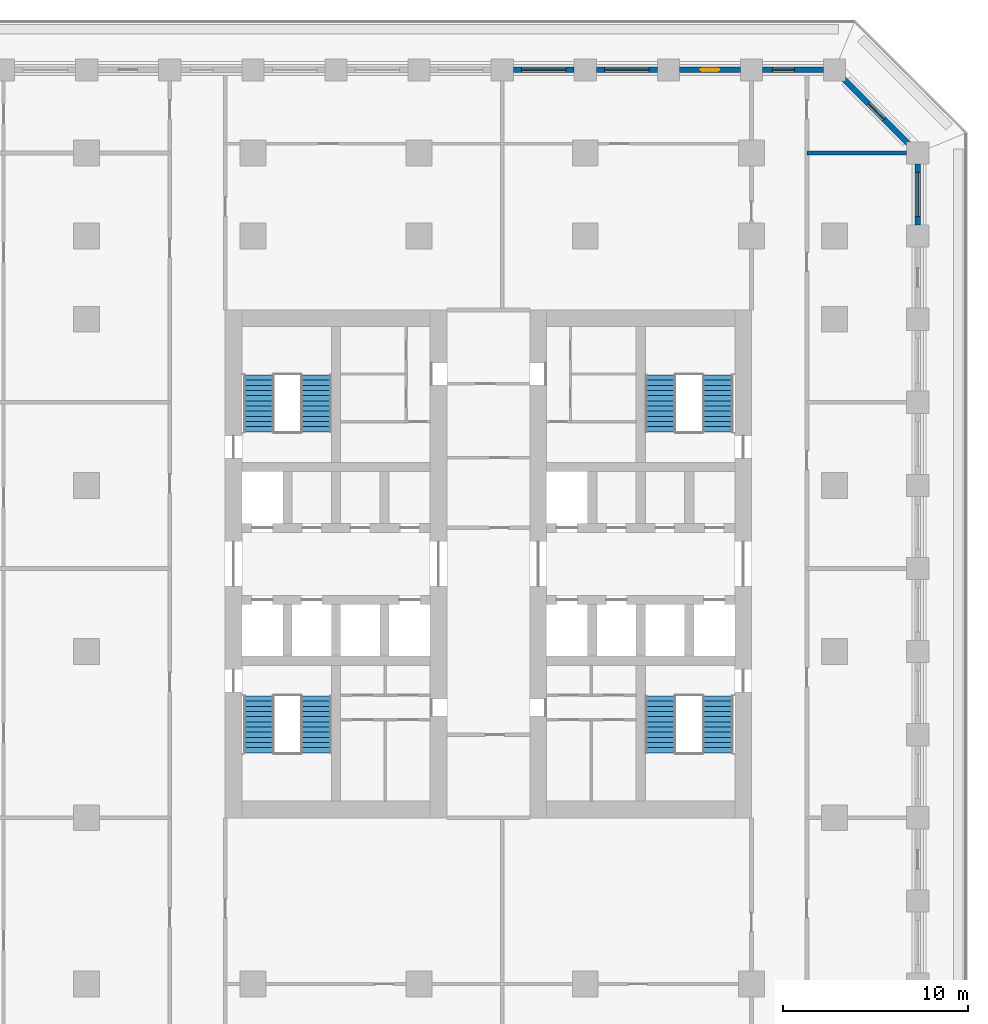
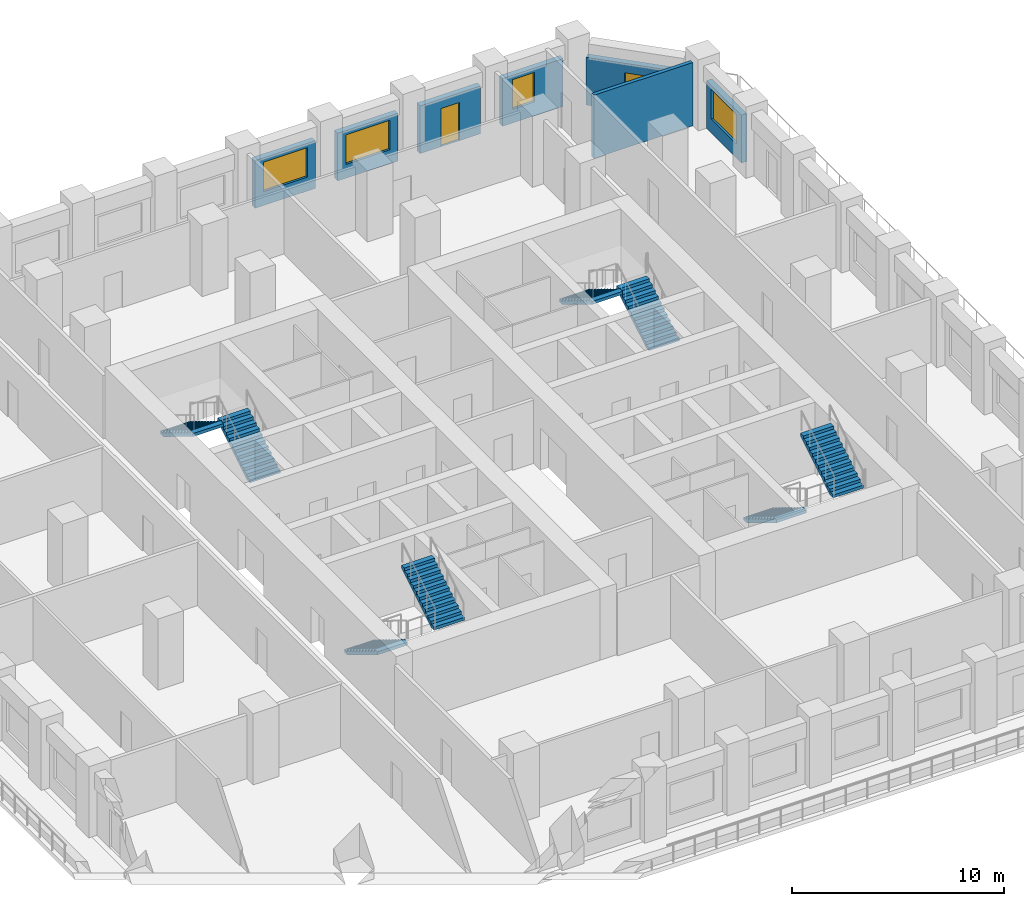
# One storey, part 8 of 16: 8 stair flights, 7 walls, 4 windows, 2 doors, 6 openings, 4 elements without a shape of their own.
"""IFC4 building model written with IfcOpenShell, lengths in metres."""

from ifc_helpers import new_model, si_unit, direction, frame, frame_2d, origin, place, context, subcontext, project, spatial, polyline, rectangle, outline, extrude, material, layer, layer_set, type_object, element, fill, aggregate, save


model = new_model("IFC4")

# Units and contexts
model_context = context("Model", 3, precision=1e-05, world=origin(), true_north=direction((0.0, 1.0)))
body_context = subcontext(model_context, "Body", "Model", "MODEL_VIEW")
ifc_project = project(units=[si_unit("LENGTHUNIT", "METRE"), si_unit("AREAUNIT", "SQUARE_METRE"), si_unit("VOLUMEUNIT", "CUBIC_METRE"), si_unit("PLANEANGLEUNIT", "RADIAN"), si_unit("MASSUNIT", "GRAM", prefix="KILO")], contexts=[model_context])

# Site, building, storey
site_placement = place(None, origin())
site = spatial("IfcSite", under=ifc_project, at=site_placement, CompositionType="ELEMENT")
building_placement = place(site_placement, origin())
building = spatial("IfcBuilding", under=site, at=building_placement, Name="Corbel Stack Research Tower", CompositionType="ELEMENT")
storey_placement = place(building_placement, frame((0.0, 0.0, 137.199951171875)))
storey = spatial("IfcBuildingStorey", under=building, at=storey_placement, Name="L31", CompositionType="ELEMENT", Elevation=137.199951171875)

# Wall
ifc_material_1 = material(Name="Fire-rated gypsum board partition on steel studs", Category="steel")
ifc_layer_1 = layer(ifc_material_1, 0.199951171875)
ifc_layer_set_1 = layer_set([ifc_layer_1], Name="Fire-rated gypsum board partition on steel studs")
wall_type_1 = type_object("IfcWallType", Name="Fire-rated partition 200 EI 60", PredefinedType="PARTITIONING", material=ifc_layer_set_1)
wall_1_placement = place(storey_placement, frame((21.0, 27.0, 0.0), z_axis=(0.0, 0.0, 1.0), x_axis=(1.0, 0.0, 0.0)))
element("IfcWall", 1, at=wall_1_placement, inside=storey, type_object=wall_type_1, Name="Partition L31-033", PredefinedType="PARTITIONING", context=body_context, shape_type="SweptSolid", body=[
    extrude(rectangle(XDim=5.39990234375, YDim=0.199951171875, at=frame_2d((2.699951171875, 0.0))), origin(), (0.0, 0.0, 1.0), 3.650146484375),
])

# Wall, opening, window
ifc_material_2 = material(Name="Concrete C45/55", Category="concrete")
ifc_layer_2 = layer(ifc_material_2, 0.300048828125)
ifc_layer_set_2 = layer_set([ifc_layer_2], Name="Concrete C45/55")
wall_type_2 = type_object("IfcWallType", Name="Terracotta-faced concrete wall 300", PredefinedType="SOLIDWALL", material=ifc_layer_set_2)
wall_2_placement = place(storey_placement, frame((27.0, 26.39990234375, 0.0), z_axis=(0.0, 0.0, 1.0), x_axis=(0.0, -1.0, 0.0)))
wall_2 = element("IfcWall", 2, at=wall_2_placement, inside=storey, type_object=wall_type_2, Name="Facade wall L31 E10", PredefinedType="SOLIDWALL", context=body_context, shape_type="SweptSolid", body=[
    extrude(rectangle(XDim=3.2998046875, YDim=0.300048828125, at=frame_2d((1.64990234375, 0.0))), origin(), (0.0, 0.0, 1.0), 2.75),
])
opening_1_placement = place(wall_2_placement, frame((0.449951171875, 0.0, 0.800048828125)))
opening_1 = element("IfcOpeningElement", 3, at=opening_1_placement, cuts=wall_2, Name="Opening W1", PredefinedType="OPENING", context=body_context, shape_type="SweptSolid", body=[
    extrude(rectangle(XDim=2.39990234375, YDim=1.699951171875, at=frame_2d((1.199951171875, 0.85009765625))), frame((0.0, 0.159912109375, 0.0), z_axis=(0.0, -1.0, 0.0), x_axis=(1.0, 0.0, 0.0)), (0.0, 0.0, 1.0), 0.320068359375),
])
ifc_material_3 = material(Name="Aluminium frame, clear double glazing", Category="aluminium")
window_type_1 = type_object("IfcWindowType", Name="Window W1 2400 x 1700", PartitioningType="SINGLE_PANEL", PredefinedType="WINDOW", material=ifc_material_3)
window_1_placement = place(opening_1_placement, origin())
window_1 = element("IfcWindow", 4, at=window_1_placement, inside=storey, type_object=window_type_1, Name="Window W1 L31 E10", OverallHeight=1.699951171875, OverallWidth=2.39990234375, PartitioningType="SINGLE_PANEL", PredefinedType="WINDOW", context=body_context, shape_type="SweptSolid", body=[
    extrude(rectangle(XDim=2.39990234375, YDim=1.699951171875, at=frame_2d((1.199951171875, 0.85009765625))), frame((0.0, 0.030029296875, 0.0), z_axis=(0.0, -1.0, 0.0), x_axis=(1.0, 0.0, 0.0)), (0.0, 0.0, 1.0), 0.06005859375),
])
fill(opening_1, window_1)

# Wall, opening, door
wall_3_placement = place(storey_placement, frame((22.993896484375, 31.006103515625, 0.0), z_axis=(0.0, 0.0, 1.0), x_axis=(0.707106781187, -0.707106781187, 0.0)))
wall_3 = element("IfcWall", 5, at=wall_3_placement, inside=storey, type_object=wall_type_2, Name="Facade wall L31 NE01", PredefinedType="SOLIDWALL", context=body_context, shape_type="SweptSolid", body=[
    extrude(rectangle(XDim=4.967041015625, YDim=0.300048828125, at=frame_2d((2.4833984375, 0.0))), origin(), (0.0, 0.0, 1.0), 2.75),
])
opening_2_placement = place(wall_3_placement, frame((1.883544921875, 0.0, 0.0)))
opening_2 = element("IfcOpeningElement", 6, at=opening_2_placement, cuts=wall_3, Name="Opening L31-B06", PredefinedType="OPENING", context=body_context, shape_type="SweptSolid", body=[
    extrude(rectangle(XDim=1.199951171875, YDim=2.199951171875, at=frame_2d((0.60009765625, 1.10009765625))), frame((0.0, 0.159912109375, 0.0), z_axis=(0.0, -1.0, 0.0), x_axis=(1.0, 0.0, 0.0)), (0.0, 0.0, 1.0), 0.320068359375),
])
ifc_material_4 = material(Name="Aluminium frame, clear double glazing", Category="aluminium")
door_type_1 = type_object("IfcDoorType", Name="Balcony door BD2 1200 x 2200", OperationType="NOTDEFINED", PredefinedType="DOOR", material=ifc_material_4)
door_1_placement = place(opening_2_placement, origin())
door_1 = element("IfcDoor", 7, at=door_1_placement, inside=storey, type_object=door_type_1, Name="Balcony door L31-B06", OperationType="SINGLE_SWING_RIGHT", OverallHeight=2.199951171875, OverallWidth=1.199951171875, PredefinedType="DOOR", context=body_context, shape_type="SweptSolid", body=[
    extrude(rectangle(XDim=1.199951171875, YDim=2.199951171875, at=frame_2d((0.60009765625, 1.10009765625))), frame((0.0, 0.02490234375, 0.0), z_axis=(0.0, -1.0, 0.0), x_axis=(1.0, 0.0, 0.0)), (0.0, 0.0, 1.0), 0.050048828125),
])
fill(opening_2, door_1)

# Wall, opening, window
wall_4_placement = place(storey_placement, frame((18.60009765625, 31.5, 0.0), z_axis=(0.0, 0.0, 1.0), x_axis=(1.0, 0.0, 0.0)))
wall_4 = element("IfcWall", 8, at=wall_4_placement, inside=storey, type_object=wall_type_2, Name="Facade wall L31 N01", PredefinedType="SOLIDWALL", context=body_context, shape_type="SweptSolid", body=[
    extrude(rectangle(XDim=3.2998046875, YDim=0.300048828125, at=frame_2d((1.64990234375, 0.0))), origin(), (0.0, 0.0, 1.0), 2.75),
])
opening_3_placement = place(wall_4_placement, frame((0.52490234375, 0.0, 0.800048828125)))
opening_3 = element("IfcOpeningElement", 9, at=opening_3_placement, cuts=wall_4, Name="Opening W2", PredefinedType="OPENING", context=body_context, shape_type="SweptSolid", body=[
    extrude(rectangle(XDim=1.199951171875, YDim=1.699951171875, at=frame_2d((0.60009765625, 0.85009765625))), frame((0.0, 0.159912109375, 0.0), z_axis=(0.0, -1.0, 0.0), x_axis=(1.0, 0.0, 0.0)), (0.0, 0.0, 1.0), 0.320068359375),
])
ifc_material_5 = material(Name="Aluminium frame, clear double glazing", Category="aluminium")
window_type_2 = type_object("IfcWindowType", Name="Window W2 1200 x 1700", PartitioningType="SINGLE_PANEL", PredefinedType="WINDOW", material=ifc_material_5)
window_2_placement = place(opening_3_placement, origin())
window_2 = element("IfcWindow", 10, at=window_2_placement, inside=storey, type_object=window_type_2, Name="Window W2 L31 N01", OverallHeight=1.699951171875, OverallWidth=1.199951171875, PartitioningType="SINGLE_PANEL", PredefinedType="WINDOW", context=body_context, shape_type="SweptSolid", body=[
    extrude(rectangle(XDim=1.199951171875, YDim=1.699951171875, at=frame_2d((0.60009765625, 0.85009765625))), frame((0.0, 0.030029296875, 0.0), z_axis=(0.0, -1.0, 0.0), x_axis=(1.0, 0.0, 0.0)), (0.0, 0.0, 1.0), 0.06005859375),
])
fill(opening_3, window_2)

# Wall, opening, door
wall_5_placement = place(storey_placement, frame((14.10009765625, 31.5, 0.0), z_axis=(0.0, 0.0, 1.0), x_axis=(1.0, 0.0, 0.0)))
wall_5 = element("IfcWall", 11, at=wall_5_placement, inside=storey, type_object=wall_type_2, Name="Facade wall L31 N02", PredefinedType="SOLIDWALL", context=body_context, shape_type="SweptSolid", body=[
    extrude(rectangle(XDim=3.2998046875, YDim=0.300048828125, at=frame_2d((1.64990234375, 0.0))), origin(), (0.0, 0.0, 1.0), 2.75),
])
opening_4_placement = place(wall_5_placement, frame((1.14990234375, 0.0, 0.0)))
opening_4 = element("IfcOpeningElement", 12, at=opening_4_placement, cuts=wall_5, Name="Opening L31-B07", PredefinedType="OPENING", context=body_context, shape_type="SweptSolid", body=[
    extrude(rectangle(XDim=1.0, YDim=2.199951171875, at=frame_2d((0.5, 1.10009765625))), frame((0.0, 0.159912109375, 0.0), z_axis=(0.0, -1.0, 0.0), x_axis=(1.0, 0.0, 0.0)), (0.0, 0.0, 1.0), 0.320068359375),
])
ifc_material_6 = material(Name="Aluminium frame, clear double glazing", Category="aluminium")
door_type_2 = type_object("IfcDoorType", Name="Balcony door BD1 1000 x 2200", OperationType="NOTDEFINED", PredefinedType="DOOR", material=ifc_material_6)
door_2_placement = place(opening_4_placement, origin())
door_2 = element("IfcDoor", 13, at=door_2_placement, inside=storey, type_object=door_type_2, Name="Balcony door L31-B07", OperationType="SINGLE_SWING_LEFT", OverallHeight=2.199951171875, OverallWidth=1.0, PredefinedType="DOOR", context=body_context, shape_type="SweptSolid", body=[
    extrude(rectangle(XDim=1.0, YDim=2.199951171875, at=frame_2d((0.5, 1.10009765625))), frame((0.0, 0.02490234375, 0.0), z_axis=(0.0, -1.0, 0.0), x_axis=(1.0, 0.0, 0.0)), (0.0, 0.0, 1.0), 0.050048828125),
])
fill(opening_4, door_2)

# Wall, opening, window
wall_6_placement = place(storey_placement, frame((9.60009765625, 31.5, 0.0), z_axis=(0.0, 0.0, 1.0), x_axis=(1.0, 0.0, 0.0)))
wall_6 = element("IfcWall", 14, at=wall_6_placement, inside=storey, type_object=wall_type_2, Name="Facade wall L31 N03", PredefinedType="SOLIDWALL", context=body_context, shape_type="SweptSolid", body=[
    extrude(rectangle(XDim=3.2998046875, YDim=0.300048828125, at=frame_2d((1.64990234375, 0.0))), origin(), (0.0, 0.0, 1.0), 2.75),
])
opening_5_placement = place(wall_6_placement, frame((0.449951171875, 0.0, 0.800048828125)))
opening_5 = element("IfcOpeningElement", 15, at=opening_5_placement, cuts=wall_6, Name="Opening W1", PredefinedType="OPENING", context=body_context, shape_type="SweptSolid", body=[
    extrude(rectangle(XDim=2.39990234375, YDim=1.699951171875, at=frame_2d((1.199951171875, 0.85009765625))), frame((0.0, 0.159912109375, 0.0), z_axis=(0.0, -1.0, 0.0), x_axis=(1.0, 0.0, 0.0)), (0.0, 0.0, 1.0), 0.320068359375),
])
window_3_placement = place(opening_5_placement, origin())
window_3 = element("IfcWindow", 16, at=window_3_placement, inside=storey, type_object=window_type_1, Name="Window W1 L31 N03", OverallHeight=1.699951171875, OverallWidth=2.39990234375, PartitioningType="SINGLE_PANEL", PredefinedType="WINDOW", context=body_context, shape_type="SweptSolid", body=[
    extrude(rectangle(XDim=2.39990234375, YDim=1.699951171875, at=frame_2d((1.199951171875, 0.85009765625))), frame((0.0, 0.030029296875, 0.0), z_axis=(0.0, -1.0, 0.0), x_axis=(1.0, 0.0, 0.0)), (0.0, 0.0, 1.0), 0.06005859375),
])
fill(opening_5, window_3)

wall_7_placement = place(storey_placement, frame((5.10009765625, 31.5, 0.0), z_axis=(0.0, 0.0, 1.0), x_axis=(1.0, 0.0, 0.0)))
wall_7 = element("IfcWall", 17, at=wall_7_placement, inside=storey, type_object=wall_type_2, Name="Facade wall L31 N04", PredefinedType="SOLIDWALL", context=body_context, shape_type="SweptSolid", body=[
    extrude(rectangle(XDim=3.2998046875, YDim=0.300048828125, at=frame_2d((1.64990234375, 0.0))), origin(), (0.0, 0.0, 1.0), 2.75),
])
opening_6_placement = place(wall_7_placement, frame((0.449951171875, 0.0, 0.800048828125)))
opening_6 = element("IfcOpeningElement", 18, at=opening_6_placement, cuts=wall_7, Name="Opening W1", PredefinedType="OPENING", context=body_context, shape_type="SweptSolid", body=[
    extrude(rectangle(XDim=2.39990234375, YDim=1.699951171875, at=frame_2d((1.199951171875, 0.85009765625))), frame((0.0, 0.159912109375, 0.0), z_axis=(0.0, -1.0, 0.0), x_axis=(1.0, 0.0, 0.0)), (0.0, 0.0, 1.0), 0.320068359375),
])
window_4_placement = place(opening_6_placement, origin())
window_4 = element("IfcWindow", 19, at=window_4_placement, inside=storey, type_object=window_type_1, Name="Window W1 L31 N04", OverallHeight=1.699951171875, OverallWidth=2.39990234375, PartitioningType="SINGLE_PANEL", PredefinedType="WINDOW", context=body_context, shape_type="SweptSolid", body=[
    extrude(rectangle(XDim=2.39990234375, YDim=1.699951171875, at=frame_2d((1.199951171875, 0.85009765625))), frame((0.0, 0.030029296875, 0.0), z_axis=(0.0, -1.0, 0.0), x_axis=(1.0, 0.0, 0.0)), (0.0, 0.0, 1.0), 0.06005859375),
])
fill(opening_6, window_4)

# Stair, stair flights
ifc_material_7 = material(Name="Concrete C40/50", Category="concrete")
stair_type = type_object("IfcStairType", Name="Exit stair 24 risers", PredefinedType="HALF_TURN_STAIR", material=ifc_material_7)
stair_1_placement = place(storey_placement, origin())
stair_1 = element("IfcStair", 20, at=stair_1_placement, inside=storey, type_object=stair_type, Name="L31 Exit stair ST-W1", PredefinedType="HALF_TURN_STAIR")
ifc_material_8 = material(Name="Concrete C40/50", Category="concrete")
stair_flight_type = type_object("IfcStairFlightType", Name="Stair flight 12 risers", PredefinedType="STRAIGHT", material=ifc_material_8)
stair_flight_1_placement = place(storey_placement, frame((-8.675048828125, -2.39990234375, 0.0), z_axis=(0.0, 0.0, 1.0), x_axis=(0.0, -1.0, 0.0)))
stair_flight_1 = element("IfcStairFlight", 21, at=stair_flight_1_placement, type_object=stair_flight_type, Name="ST-W1 flight 1", NumberOfRisers=12, NumberOfTreads=11, PredefinedType="STRAIGHT", RiserHeight=0.170833333, TreadLength=0.28, context=body_context, shape_type="SweptSolid", body=[
    extrude(outline(polyline([(0.0, 0.0), (0.0, 0.1708984375), (0.280029296875, 0.1708984375), (0.280029296875, 0.341552734375), (0.56005859375, 0.341552734375), (0.56005859375, 0.512451171875), (0.840087890625, 0.512451171875), (0.840087890625, 0.683349609375), (1.1201171875, 0.683349609375), (1.1201171875, 0.854248046875), (1.39990234375, 0.854248046875), (1.39990234375, 1.02490234375), (1.679931640625, 1.02490234375), (1.679931640625, 1.19580078125), (1.9599609375, 1.19580078125), (1.9599609375, 1.36669921875), (2.239990234375, 1.36669921875), (2.239990234375, 1.53759765625), (2.52001953125, 1.53759765625), (2.52001953125, 1.708251953125), (2.800048828125, 1.708251953125), (2.800048828125, 1.879150390625), (3.080078125, 1.879150390625), (3.080078125, 2.050048828125), (3.080078125, 1.70361328125), (0.287841796875, 0.0), (0.0, 0.0)])), frame((0.0, 0.824951171875, 0.0), z_axis=(0.0, -1.0, 0.0), x_axis=(1.0, 0.0, 0.0)), (0.0, 0.0, 1.0), 1.64990234375),
])
stair_flight_2_placement = place(storey_placement, frame((-5.574951171875, -5.47998046875, 2.050048828125), z_axis=(0.0, 0.0, 1.0), x_axis=(0.0, 1.0, 0.0)))
stair_flight_2 = element("IfcStairFlight", 22, at=stair_flight_2_placement, type_object=stair_flight_type, Name="ST-W1 flight 2", NumberOfRisers=12, NumberOfTreads=11, PredefinedType="STRAIGHT", RiserHeight=0.170833333, TreadLength=0.28, context=body_context, shape_type="SweptSolid", body=[
    extrude(outline(polyline([(0.0, 0.0), (0.0, 0.1708984375), (0.280029296875, 0.1708984375), (0.280029296875, 0.341552734375), (0.56005859375, 0.341552734375), (0.56005859375, 0.512451171875), (0.840087890625, 0.512451171875), (0.840087890625, 0.683349609375), (1.1201171875, 0.683349609375), (1.1201171875, 0.854248046875), (1.39990234375, 0.854248046875), (1.39990234375, 1.02490234375), (1.679931640625, 1.02490234375), (1.679931640625, 1.19580078125), (1.9599609375, 1.19580078125), (1.9599609375, 1.36669921875), (2.239990234375, 1.36669921875), (2.239990234375, 1.53759765625), (2.52001953125, 1.53759765625), (2.52001953125, 1.708251953125), (2.800048828125, 1.708251953125), (2.800048828125, 1.879150390625), (3.080078125, 1.879150390625), (3.080078125, 2.050048828125), (3.080078125, 1.70361328125), (0.287841796875, 0.0), (0.0, 0.0)])), frame((0.0, 0.824951171875, 0.0), z_axis=(0.0, -1.0, 0.0), x_axis=(1.0, 0.0, 0.0)), (0.0, 0.0, 1.0), 1.64990234375),
])
aggregate(stair_1, [stair_flight_1, stair_flight_2])

stair_2_placement = place(storey_placement, origin())
stair_2 = element("IfcStair", 23, at=stair_2_placement, inside=storey, type_object=stair_type, Name="L31 Exit stair ST-W2", PredefinedType="HALF_TURN_STAIR")
stair_flight_3_placement = place(storey_placement, frame((-5.574951171875, 11.89990234375, 0.0), z_axis=(0.0, 0.0, 1.0), x_axis=(0.0, 1.0, 0.0)))
stair_flight_3 = element("IfcStairFlight", 24, at=stair_flight_3_placement, type_object=stair_flight_type, Name="ST-W2 flight 1", NumberOfRisers=12, NumberOfTreads=11, PredefinedType="STRAIGHT", RiserHeight=0.170833333, TreadLength=0.28, context=body_context, shape_type="SweptSolid", body=[
    extrude(outline(polyline([(0.0, 0.0), (0.0, 0.1708984375), (0.280029296875, 0.1708984375), (0.280029296875, 0.341552734375), (0.56005859375, 0.341552734375), (0.56005859375, 0.512451171875), (0.840087890625, 0.512451171875), (0.840087890625, 0.683349609375), (1.1201171875, 0.683349609375), (1.1201171875, 0.854248046875), (1.39990234375, 0.854248046875), (1.39990234375, 1.02490234375), (1.679931640625, 1.02490234375), (1.679931640625, 1.19580078125), (1.9599609375, 1.19580078125), (1.9599609375, 1.36669921875), (2.239990234375, 1.36669921875), (2.239990234375, 1.53759765625), (2.52001953125, 1.53759765625), (2.52001953125, 1.708251953125), (2.800048828125, 1.708251953125), (2.800048828125, 1.879150390625), (3.080078125, 1.879150390625), (3.080078125, 2.050048828125), (3.080078125, 1.70361328125), (0.287841796875, 0.0), (0.0, 0.0)])), frame((0.0, 0.824951171875, 0.0), z_axis=(0.0, -1.0, 0.0), x_axis=(1.0, 0.0, 0.0)), (0.0, 0.0, 1.0), 1.64990234375),
])
stair_flight_4_placement = place(storey_placement, frame((-8.675048828125, 14.97998046875, 2.050048828125), z_axis=(0.0, 0.0, 1.0), x_axis=(0.0, -1.0, 0.0)))
stair_flight_4 = element("IfcStairFlight", 25, at=stair_flight_4_placement, type_object=stair_flight_type, Name="ST-W2 flight 2", NumberOfRisers=12, NumberOfTreads=11, PredefinedType="STRAIGHT", RiserHeight=0.170833333, TreadLength=0.28, context=body_context, shape_type="SweptSolid", body=[
    extrude(outline(polyline([(0.0, 0.0), (0.0, 0.1708984375), (0.280029296875, 0.1708984375), (0.280029296875, 0.341552734375), (0.56005859375, 0.341552734375), (0.56005859375, 0.512451171875), (0.840087890625, 0.512451171875), (0.840087890625, 0.683349609375), (1.1201171875, 0.683349609375), (1.1201171875, 0.854248046875), (1.39990234375, 0.854248046875), (1.39990234375, 1.02490234375), (1.679931640625, 1.02490234375), (1.679931640625, 1.19580078125), (1.9599609375, 1.19580078125), (1.9599609375, 1.36669921875), (2.239990234375, 1.36669921875), (2.239990234375, 1.53759765625), (2.52001953125, 1.53759765625), (2.52001953125, 1.708251953125), (2.800048828125, 1.708251953125), (2.800048828125, 1.879150390625), (3.080078125, 1.879150390625), (3.080078125, 2.050048828125), (3.080078125, 1.70361328125), (0.287841796875, 0.0), (0.0, 0.0)])), frame((0.0, 0.824951171875, 0.0), z_axis=(0.0, -1.0, 0.0), x_axis=(1.0, 0.0, 0.0)), (0.0, 0.0, 1.0), 1.64990234375),
])
aggregate(stair_2, [stair_flight_3, stair_flight_4])

stair_3_placement = place(storey_placement, origin())
stair_3 = element("IfcStair", 26, at=stair_3_placement, inside=storey, type_object=stair_type, Name="L31 Exit stair ST-E1", PredefinedType="HALF_TURN_STAIR")
stair_flight_5_placement = place(storey_placement, frame((13.074951171875, -2.39990234375, 0.0), z_axis=(0.0, 0.0, 1.0), x_axis=(0.0, -1.0, 0.0)))
stair_flight_5 = element("IfcStairFlight", 27, at=stair_flight_5_placement, type_object=stair_flight_type, Name="ST-E1 flight 1", NumberOfRisers=12, NumberOfTreads=11, PredefinedType="STRAIGHT", RiserHeight=0.170833333, TreadLength=0.28, context=body_context, shape_type="SweptSolid", body=[
    extrude(outline(polyline([(0.0, 0.0), (0.0, 0.1708984375), (0.280029296875, 0.1708984375), (0.280029296875, 0.341552734375), (0.56005859375, 0.341552734375), (0.56005859375, 0.512451171875), (0.840087890625, 0.512451171875), (0.840087890625, 0.683349609375), (1.1201171875, 0.683349609375), (1.1201171875, 0.854248046875), (1.39990234375, 0.854248046875), (1.39990234375, 1.02490234375), (1.679931640625, 1.02490234375), (1.679931640625, 1.19580078125), (1.9599609375, 1.19580078125), (1.9599609375, 1.36669921875), (2.239990234375, 1.36669921875), (2.239990234375, 1.53759765625), (2.52001953125, 1.53759765625), (2.52001953125, 1.708251953125), (2.800048828125, 1.708251953125), (2.800048828125, 1.879150390625), (3.080078125, 1.879150390625), (3.080078125, 2.050048828125), (3.080078125, 1.70361328125), (0.287841796875, 0.0), (0.0, 0.0)])), frame((0.0, 0.824951171875, 0.0), z_axis=(0.0, -1.0, 0.0), x_axis=(1.0, 0.0, 0.0)), (0.0, 0.0, 1.0), 1.64990234375),
])
stair_flight_6_placement = place(storey_placement, frame((16.175048828125, -5.47998046875, 2.050048828125), z_axis=(0.0, 0.0, 1.0), x_axis=(0.0, 1.0, 0.0)))
stair_flight_6 = element("IfcStairFlight", 28, at=stair_flight_6_placement, type_object=stair_flight_type, Name="ST-E1 flight 2", NumberOfRisers=12, NumberOfTreads=11, PredefinedType="STRAIGHT", RiserHeight=0.170833333, TreadLength=0.28, context=body_context, shape_type="SweptSolid", body=[
    extrude(outline(polyline([(0.0, 0.0), (0.0, 0.1708984375), (0.280029296875, 0.1708984375), (0.280029296875, 0.341552734375), (0.56005859375, 0.341552734375), (0.56005859375, 0.512451171875), (0.840087890625, 0.512451171875), (0.840087890625, 0.683349609375), (1.1201171875, 0.683349609375), (1.1201171875, 0.854248046875), (1.39990234375, 0.854248046875), (1.39990234375, 1.02490234375), (1.679931640625, 1.02490234375), (1.679931640625, 1.19580078125), (1.9599609375, 1.19580078125), (1.9599609375, 1.36669921875), (2.239990234375, 1.36669921875), (2.239990234375, 1.53759765625), (2.52001953125, 1.53759765625), (2.52001953125, 1.708251953125), (2.800048828125, 1.708251953125), (2.800048828125, 1.879150390625), (3.080078125, 1.879150390625), (3.080078125, 2.050048828125), (3.080078125, 1.70361328125), (0.287841796875, 0.0), (0.0, 0.0)])), frame((0.0, 0.824951171875, 0.0), z_axis=(0.0, -1.0, 0.0), x_axis=(1.0, 0.0, 0.0)), (0.0, 0.0, 1.0), 1.64990234375),
])
aggregate(stair_3, [stair_flight_5, stair_flight_6])

stair_4_placement = place(storey_placement, origin())
stair_4 = element("IfcStair", 29, at=stair_4_placement, inside=storey, type_object=stair_type, Name="L31 Exit stair ST-E2", PredefinedType="HALF_TURN_STAIR")
stair_flight_7_placement = place(storey_placement, frame((16.175048828125, 11.89990234375, 0.0), z_axis=(0.0, 0.0, 1.0), x_axis=(0.0, 1.0, 0.0)))
stair_flight_7 = element("IfcStairFlight", 30, at=stair_flight_7_placement, type_object=stair_flight_type, Name="ST-E2 flight 1", NumberOfRisers=12, NumberOfTreads=11, PredefinedType="STRAIGHT", RiserHeight=0.170833333, TreadLength=0.28, context=body_context, shape_type="SweptSolid", body=[
    extrude(outline(polyline([(0.0, 0.0), (0.0, 0.1708984375), (0.280029296875, 0.1708984375), (0.280029296875, 0.341552734375), (0.56005859375, 0.341552734375), (0.56005859375, 0.512451171875), (0.840087890625, 0.512451171875), (0.840087890625, 0.683349609375), (1.1201171875, 0.683349609375), (1.1201171875, 0.854248046875), (1.39990234375, 0.854248046875), (1.39990234375, 1.02490234375), (1.679931640625, 1.02490234375), (1.679931640625, 1.19580078125), (1.9599609375, 1.19580078125), (1.9599609375, 1.36669921875), (2.239990234375, 1.36669921875), (2.239990234375, 1.53759765625), (2.52001953125, 1.53759765625), (2.52001953125, 1.708251953125), (2.800048828125, 1.708251953125), (2.800048828125, 1.879150390625), (3.080078125, 1.879150390625), (3.080078125, 2.050048828125), (3.080078125, 1.70361328125), (0.287841796875, 0.0), (0.0, 0.0)])), frame((0.0, 0.824951171875, 0.0), z_axis=(0.0, -1.0, 0.0), x_axis=(1.0, 0.0, 0.0)), (0.0, 0.0, 1.0), 1.64990234375),
])
stair_flight_8_placement = place(storey_placement, frame((13.074951171875, 14.97998046875, 2.050048828125), z_axis=(0.0, 0.0, 1.0), x_axis=(0.0, -1.0, 0.0)))
stair_flight_8 = element("IfcStairFlight", 31, at=stair_flight_8_placement, type_object=stair_flight_type, Name="ST-E2 flight 2", NumberOfRisers=12, NumberOfTreads=11, PredefinedType="STRAIGHT", RiserHeight=0.170833333, TreadLength=0.28, context=body_context, shape_type="SweptSolid", body=[
    extrude(outline(polyline([(0.0, 0.0), (0.0, 0.1708984375), (0.280029296875, 0.1708984375), (0.280029296875, 0.341552734375), (0.56005859375, 0.341552734375), (0.56005859375, 0.512451171875), (0.840087890625, 0.512451171875), (0.840087890625, 0.683349609375), (1.1201171875, 0.683349609375), (1.1201171875, 0.854248046875), (1.39990234375, 0.854248046875), (1.39990234375, 1.02490234375), (1.679931640625, 1.02490234375), (1.679931640625, 1.19580078125), (1.9599609375, 1.19580078125), (1.9599609375, 1.36669921875), (2.239990234375, 1.36669921875), (2.239990234375, 1.53759765625), (2.52001953125, 1.53759765625), (2.52001953125, 1.708251953125), (2.800048828125, 1.708251953125), (2.800048828125, 1.879150390625), (3.080078125, 1.879150390625), (3.080078125, 2.050048828125), (3.080078125, 1.70361328125), (0.287841796875, 0.0), (0.0, 0.0)])), frame((0.0, 0.824951171875, 0.0), z_axis=(0.0, -1.0, 0.0), x_axis=(1.0, 0.0, 0.0)), (0.0, 0.0, 1.0), 1.64990234375),
])
aggregate(stair_4, [stair_flight_7, stair_flight_8])

save(model, "model.ifc")
